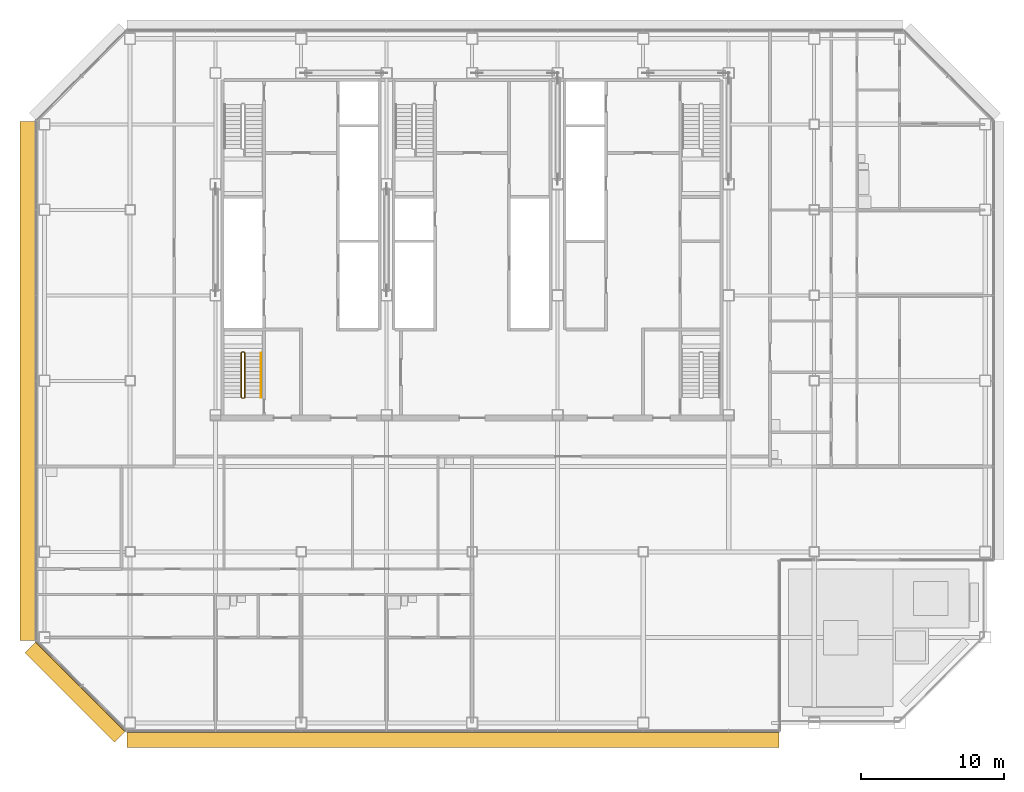
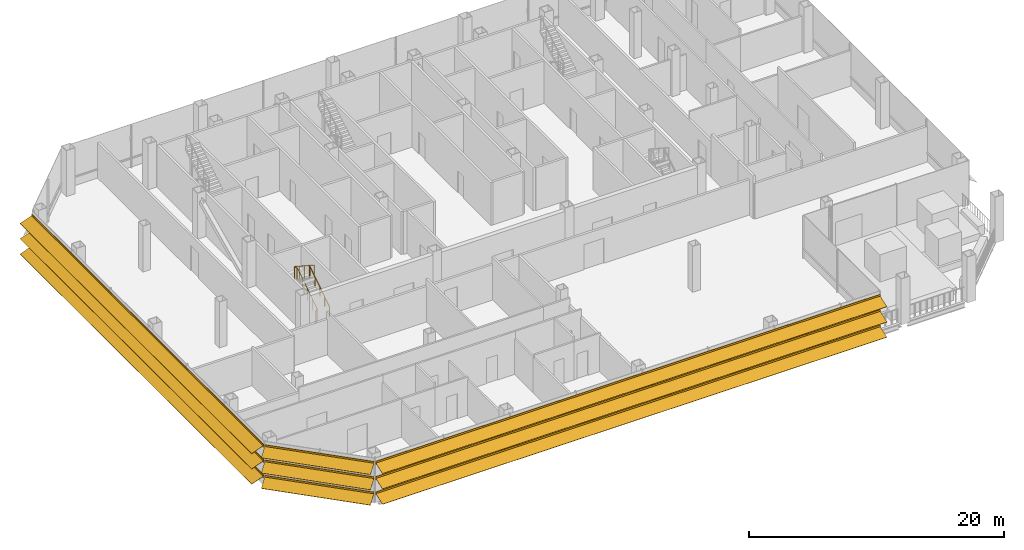
# One storey, part 24 of 28: 3 shading devices, 2 railings.
"""IFC4 building model written with IfcOpenShell, lengths in metres."""

from ifc_helpers import new_model, si_unit, direction, frame, origin, origin_2d, place, context, subcontext, project, spatial, polyline, circle, outline, composite_profile, extrude, material, type_object, element, save


model = new_model("IFC4")

# Units and contexts
model_context = context("Model", 3, precision=1e-05, world=origin(), true_north=direction((0.0, 1.0)))
body_context = subcontext(model_context, "Body", "Model", "MODEL_VIEW")
ifc_project = project(units=[si_unit("LENGTHUNIT", "METRE"), si_unit("AREAUNIT", "SQUARE_METRE"), si_unit("VOLUMEUNIT", "CUBIC_METRE"), si_unit("PLANEANGLEUNIT", "RADIAN"), si_unit("MASSUNIT", "GRAM", prefix="KILO")], contexts=[model_context])

# Site, building, storey
site_placement = place(None, origin())
site = spatial("IfcSite", under=ifc_project, at=site_placement, CompositionType="ELEMENT")
building_placement = place(site_placement, origin())
building = spatial("IfcBuilding", under=site, at=building_placement, Name="Sorahane Residences", CompositionType="ELEMENT")
storey_placement = place(building_placement, frame((0.0, 0.0, 134.0)))
storey = spatial("IfcBuildingStorey", under=building, at=storey_placement, Name="L30", CompositionType="ELEMENT", Elevation=134.0)

# Shading devices
ifc_material_1 = material(Name="Terracotta anodised aluminium", Category="masonry")
shading_device_type_1 = type_object("IfcShadingDeviceType", Name="Louvre sunshade blade S terracotta aluminium 1100", PredefinedType="JALOUSIE", material=ifc_material_1)
shading_device_1_placement = place(storey_placement, frame((-0.198486328125, -0.60009765625, 0.7333984375), z_axis=(1.0, 0.0, 0.0), x_axis=(0.0, 1.0, 0.0)))
element("IfcShadingDevice", 1, at=shading_device_1_placement, inside=storey, type_object=shading_device_type_1, Name="Louvre sunshade blade bank S L30 S1", PredefinedType="JALOUSIE", context=body_context, shape_type="SweptSolid", body=[
    extrude(composite_profile([outline(polyline([(-1.1201171875, -0.385498046875), (-1.1201171875, -0.415283203125), (-0.080078125, -0.036865234375), (-0.080078125, -0.14990234375), (-0.02001953125, -0.14990234375), (-0.02001953125, -0.014892578125), (-0.02001953125, 0.014892578125), (-0.02001953125, 0.14990234375), (-0.080078125, 0.14990234375), (-0.080078125, -0.0068359375), (-1.1201171875, -0.385498046875)])), outline(polyline([(-1.1201171875, 1.081298828125), (-1.1201171875, 1.05126953125), (-0.080078125, 1.429931640625), (-0.080078125, 1.316650390625), (-0.02001953125, 1.316650390625), (-0.02001953125, 1.45166015625), (-0.02001953125, 1.481689453125), (-0.02001953125, 1.61669921875), (-0.080078125, 1.61669921875), (-0.080078125, 1.4599609375), (-1.1201171875, 1.081298828125)])), outline(polyline([(-1.1201171875, 2.5478515625), (-1.1201171875, 2.517822265625), (-0.080078125, 2.896484375), (-0.080078125, 2.783203125), (-0.02001953125, 2.783203125), (-0.02001953125, 2.918212890625), (-0.02001953125, 2.9482421875), (-0.02001953125, 3.083251953125), (-0.080078125, 3.083251953125), (-0.080078125, 2.926513671875), (-1.1201171875, 2.5478515625)]))]), origin(), (0.0, 0.0, 1.0), 45.74853515625),
])
ifc_material_2 = material(Name="Terracotta anodised aluminium", Category="masonry")
shading_device_type_2 = type_object("IfcShadingDeviceType", Name="Louvre sunshade blade SW terracotta aluminium 1100", PredefinedType="JALOUSIE", material=ifc_material_2)
shading_device_2_placement = place(storey_placement, frame((-6.564697265625, 5.716064453125, 0.7333984375), z_axis=(0.707106781187, -0.707106781187, 0.0), x_axis=(0.707106781187, 0.707106781187, 0.0)))
element("IfcShadingDevice", 2, at=shading_device_2_placement, inside=storey, type_object=shading_device_type_2, Name="Louvre sunshade blade bank SW L30 SW1", PredefinedType="JALOUSIE", context=body_context, shape_type="SweptSolid", body=[
    extrude(composite_profile([outline(polyline([(-1.1201171875, -0.385498046875), (-1.1201171875, -0.415283203125), (-0.080078125, -0.036865234375), (-0.080078125, -0.14990234375), (-0.02001953125, -0.14990234375), (-0.02001953125, -0.014892578125), (-0.02001953125, 0.014892578125), (-0.02001953125, 0.14990234375), (-0.080078125, 0.14990234375), (-0.080078125, -0.0068359375), (-1.1201171875, -0.385498046875)])), outline(polyline([(-1.1201171875, 1.081298828125), (-1.1201171875, 1.05126953125), (-0.080078125, 1.429931640625), (-0.080078125, 1.316650390625), (-0.02001953125, 1.316650390625), (-0.02001953125, 1.45166015625), (-0.02001953125, 1.481689453125), (-0.02001953125, 1.61669921875), (-0.080078125, 1.61669921875), (-0.080078125, 1.4599609375), (-1.1201171875, 1.081298828125)])), outline(polyline([(-1.1201171875, 2.5478515625), (-1.1201171875, 2.517822265625), (-0.080078125, 2.896484375), (-0.080078125, 2.783203125), (-0.02001953125, 2.783203125), (-0.02001953125, 2.918212890625), (-0.02001953125, 2.9482421875), (-0.02001953125, 3.083251953125), (-0.080078125, 3.083251953125), (-0.080078125, 2.926513671875), (-1.1201171875, 2.5478515625)]))]), origin(), (0.0, 0.0, 1.0), 8.88232421875),
])
ifc_material_3 = material(Name="Terracotta anodised aluminium", Category="masonry")
shading_device_type_3 = type_object("IfcShadingDeviceType", Name="Louvre sunshade blade W terracotta aluminium 1100", PredefinedType="JALOUSIE", material=ifc_material_3)
shading_device_3_placement = place(storey_placement, frame((-6.60009765625, 42.198486328125, 0.7333984375), z_axis=(0.0, -1.0, 0.0), x_axis=(1.0, 0.0, 0.0)))
element("IfcShadingDevice", 3, at=shading_device_3_placement, inside=storey, type_object=shading_device_type_3, Name="Louvre sunshade blade bank W L30 W1", PredefinedType="JALOUSIE", context=body_context, shape_type="SweptSolid", body=[
    extrude(composite_profile([outline(polyline([(-1.1201171875, -0.385498046875), (-1.1201171875, -0.415283203125), (-0.080078125, -0.036865234375), (-0.080078125, -0.14990234375), (-0.02001953125, -0.14990234375), (-0.02001953125, -0.014892578125), (-0.02001953125, 0.014892578125), (-0.02001953125, 0.14990234375), (-0.080078125, 0.14990234375), (-0.080078125, -0.0068359375), (-1.1201171875, -0.385498046875)])), outline(polyline([(-1.1201171875, 1.081298828125), (-1.1201171875, 1.05126953125), (-0.080078125, 1.429931640625), (-0.080078125, 1.316650390625), (-0.02001953125, 1.316650390625), (-0.02001953125, 1.45166015625), (-0.02001953125, 1.481689453125), (-0.02001953125, 1.61669921875), (-0.080078125, 1.61669921875), (-0.080078125, 1.4599609375), (-1.1201171875, 1.081298828125)])), outline(polyline([(-1.1201171875, 2.5478515625), (-1.1201171875, 2.517822265625), (-0.080078125, 2.896484375), (-0.080078125, 2.783203125), (-0.02001953125, 2.783203125), (-0.02001953125, 2.918212890625), (-0.02001953125, 2.9482421875), (-0.02001953125, 3.083251953125), (-0.080078125, 3.083251953125), (-0.080078125, 2.926513671875), (-1.1201171875, 2.5478515625)]))]), origin(), (0.0, 0.0, 1.0), 36.39697265625),
])

# Railings
ifc_material_4 = material(Name="Steel Q355B", Category="steel")
railing_type_1 = type_object("IfcRailingType", Name="Stair guard 1200 Steel Q355B", PredefinedType="GUARDRAIL", material=ifc_material_4)
railing_1_placement = place(storey_placement, frame((7.85009765625, 22.800048828125, 0.0)))
element("IfcRailing", 4, at=railing_1_placement, inside=storey, type_object=railing_type_1, Name="L30 S4 stair guard 1", PredefinedType="GUARDRAIL", context=body_context, shape_type="SweptSolid", body=[
    extrude(circle(Radius=0.02392578125, at=origin_2d()), frame((0.0, 0.0, 1.17578125), z_axis=(1.0, 0.0, 0.0), x_axis=(0.0, 1.0, 0.0)), (0.0, 0.0, 1.0), 0.14990234375),
    extrude(circle(Radius=0.02392578125, at=origin_2d()), frame((0.14990234375, 0.0, 1.17578125), z_axis=(0.272897288611, 0.272897288611, 0.922525956132), x_axis=(-0.707106781187, 0.707106781187, 0.0)), (0.0, 0.0, 1.0), 0.183349609375),
    extrude(circle(Radius=0.02392578125, at=origin_2d()), frame((0.199951171875, 0.050048828125, 1.34521484375), z_axis=(0.0, 0.838094317583, 0.54552535673), x_axis=(-1.0, 0.0, 0.0)), (0.0, 0.0, 1.0), 3.72265625),
    extrude(circle(Radius=0.02392578125, at=origin_2d()), frame((0.199951171875, 3.169921875, 3.3759765625), z_axis=(-0.707106781187, 0.707106781187, 0.0), x_axis=(-0.707106781187, -0.707106781187, 0.0)), (0.0, 0.0, 1.0), 0.07080078125),
    extrude(circle(Radius=0.02392578125, at=origin_2d()), frame((0.14990234375, 3.219970703125, 3.3759765625), z_axis=(-1.0, 0.0, 0.0), x_axis=(0.0, -1.0, 0.0)), (0.0, 0.0, 1.0), 0.14990234375),
    extrude(circle(Radius=0.02392578125, at=origin_2d()), frame((0.0, 3.219970703125, 3.3759765625), z_axis=(-0.272897288611, -0.272897288611, 0.922525956132), x_axis=(0.707106781187, -0.707106781187, 0.0)), (0.0, 0.0, 1.0), 0.183349609375),
    extrude(circle(Radius=0.02392578125, at=origin_2d()), frame((-0.050048828125, 3.169921875, 3.544921875), z_axis=(0.0, -0.838094317583, 0.54552535673), x_axis=(1.0, 0.0, 0.0)), (0.0, 0.0, 1.0), 3.72265625),
    extrude(circle(Radius=0.02099609375, at=origin_2d()), origin(), (0.0, 0.0, 1.0), 1.15185546875),
    extrude(circle(Radius=0.02099609375, at=origin_2d()), frame((0.14990234375, 0.0, 0.0)), (0.0, 0.0, 1.0), 1.15185546875),
    extrude(circle(Radius=0.02099609375, at=origin_2d()), frame((0.199951171875, 0.050048828125, 0.169189453125)), (0.0, 0.0, 1.0), 1.15185546875),
    extrude(circle(Radius=0.02099609375, at=origin_2d()), frame((0.199951171875, 0.830078125, 0.6767578125)), (0.0, 0.0, 1.0), 1.15185546875),
    extrude(circle(Radius=0.02099609375, at=origin_2d()), frame((0.199951171875, 1.60986328125, 1.1845703125)), (0.0, 0.0, 1.0), 1.15185546875),
    extrude(circle(Radius=0.02099609375, at=origin_2d()), frame((0.199951171875, 2.389892578125, 1.6923828125)), (0.0, 0.0, 1.0), 1.15185546875),
    extrude(circle(Radius=0.02099609375, at=origin_2d()), frame((0.199951171875, 3.169921875, 2.199951171875)), (0.0, 0.0, 1.0), 1.15185546875),
    extrude(circle(Radius=0.02099609375, at=origin_2d()), frame((0.14990234375, 3.219970703125, 2.199951171875)), (0.0, 0.0, 1.0), 1.15185546875),
    extrude(circle(Radius=0.02099609375, at=origin_2d()), frame((0.0, 3.219970703125, 2.199951171875)), (0.0, 0.0, 1.0), 1.15185546875),
    extrude(circle(Radius=0.02099609375, at=origin_2d()), frame((-0.050048828125, 3.169921875, 2.369140625)), (0.0, 0.0, 1.0), 1.15185546875),
    extrude(circle(Radius=0.02099609375, at=origin_2d()), frame((-0.050048828125, 2.389892578125, 2.876953125)), (0.0, 0.0, 1.0), 1.15185546875),
    extrude(circle(Radius=0.02099609375, at=origin_2d()), frame((-0.050048828125, 1.60986328125, 3.384521484375)), (0.0, 0.0, 1.0), 1.15185546875),
    extrude(circle(Radius=0.02099609375, at=origin_2d()), frame((-0.050048828125, 0.830078125, 3.89208984375)), (0.0, 0.0, 1.0), 1.15185546875),
    extrude(circle(Radius=0.02099609375, at=origin_2d()), frame((-0.050048828125, 0.050048828125, 4.39990234375)), (0.0, 0.0, 1.0), 1.15185546875),
])
ifc_material_5 = material(Name="Steel Q355B", Category="steel")
railing_type_2 = type_object("IfcRailingType", Name="Stair handrail 900 Steel Q355B", PredefinedType="HANDRAIL", material=ifc_material_5)
railing_2_placement = place(storey_placement, frame((9.199951171875, 22.85009765625, 0.169189453125)))
element("IfcRailing", 5, at=railing_2_placement, inside=storey, type_object=railing_type_2, Name="L30 S4 stair handrail 1", PredefinedType="HANDRAIL", context=body_context, shape_type="SweptSolid", body=[
    extrude(circle(Radius=0.02392578125, at=origin_2d()), frame((0.0, 0.0, 0.8759765625), z_axis=(0.0, 0.838094317583, 0.54552535673), x_axis=(-1.0, 0.0, 0.0)), (0.0, 0.0, 1.0), 3.72265625),
    extrude(circle(Radius=0.02099609375, at=origin_2d()), origin(), (0.0, 0.0, 1.0), 0.851806640625),
    extrude(circle(Radius=0.02099609375, at=origin_2d()), frame((0.0, 0.780029296875, 0.5078125)), (0.0, 0.0, 1.0), 0.851806640625),
    extrude(circle(Radius=0.02099609375, at=origin_2d()), frame((0.0, 1.56005859375, 1.015380859375)), (0.0, 0.0, 1.0), 0.851806640625),
    extrude(circle(Radius=0.02099609375, at=origin_2d()), frame((0.0, 2.33984375, 1.52294921875)), (0.0, 0.0, 1.0), 0.851806640625),
    extrude(circle(Radius=0.02099609375, at=origin_2d()), frame((0.0, 3.119873046875, 2.03076171875)), (0.0, 0.0, 1.0), 0.851806640625),
])

save(model, "model.ifc")
